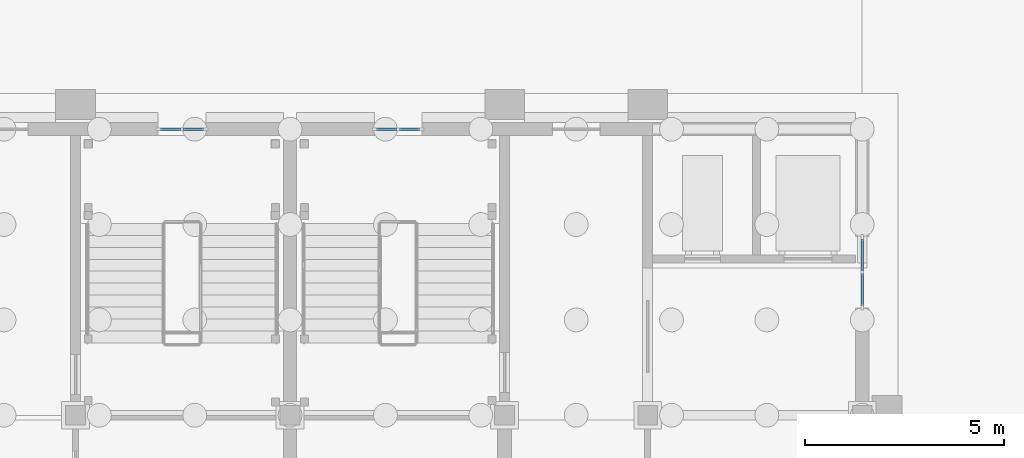
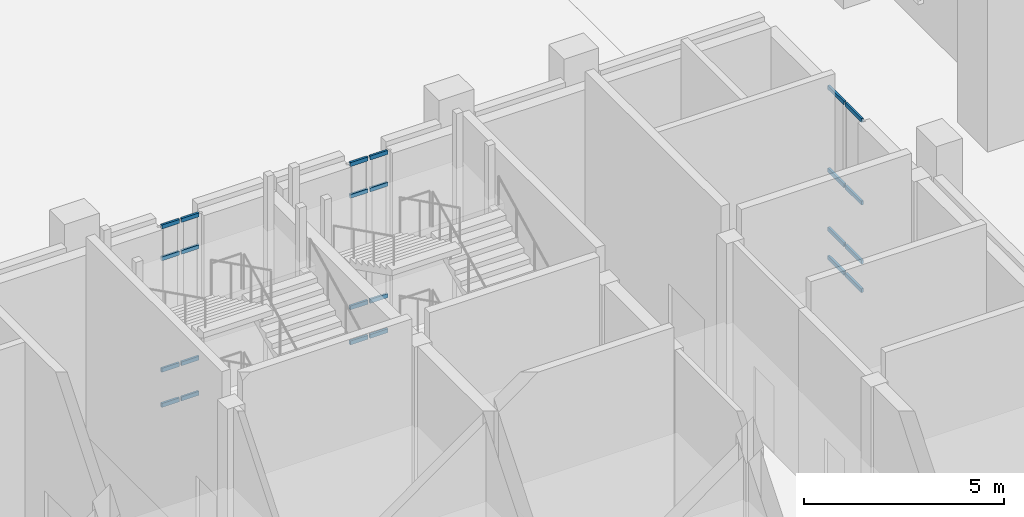
# One storey, part 19 of 84: 24 members, 3 elements without a shape of their own.
"""IFC4 building model written with IfcOpenShell, lengths in metres."""

from ifc_helpers import new_model, si_unit, direction, frame, origin, origin_2d, place, context, subcontext, project, spatial, rectangle, extrude, material, layer, layer_set, material_profile, profile_set, type_object, element, aggregate, save


model = new_model("IFC4")

# Units and contexts
model_context = context("Model", 3, precision=1e-05, world=origin(), true_north=direction((0.0, 1.0)))
body_context = subcontext(model_context, "Body", "Model", "MODEL_VIEW")
ifc_project = project(units=[si_unit("LENGTHUNIT", "METRE"), si_unit("AREAUNIT", "SQUARE_METRE"), si_unit("VOLUMEUNIT", "CUBIC_METRE"), si_unit("PLANEANGLEUNIT", "RADIAN"), si_unit("MASSUNIT", "GRAM", prefix="KILO")], contexts=[model_context])

# Site, building, storey
site_placement = place(None, origin())
site = spatial("IfcSite", under=ifc_project, at=site_placement, CompositionType="ELEMENT")
building_placement = place(site_placement, origin())
building = spatial("IfcBuilding", under=site, at=building_placement, Name="Mazhai Court Health Centre", CompositionType="ELEMENT")
storey_placement = place(building_placement, origin())
storey = spatial("IfcBuildingStorey", under=building, at=storey_placement, Name="L00", CompositionType="ELEMENT", Elevation=0.0)

# Curtain wall, members
ifc_material_1 = material(Name="Teak timber frame, glazed", Category="wood")
ifc_layer_1 = layer(ifc_material_1, 0.10009765625)
ifc_layer_set_1 = layer_set([ifc_layer_1], Name="CURTAIN WALL TIMBER 600")
curtain_wall_type_1 = type_object("IfcCurtainWallType", Name="CURTAIN WALL TIMBER 600", PredefinedType="NOTDEFINED", material=ifc_layer_set_1)
curtain_wall_1_placement = place(storey_placement, origin())
curtain_wall_1 = element("IfcCurtainWall", 1, at=curtain_wall_1_placement, inside=storey, type_object=curtain_wall_type_1, Name="CW-V2-L00-ESTAIR0", PredefinedType="NOTDEFINED")
ifc_material_2 = material(Name="Teak timber", Category="wood")
ifc_material_profile = material_profile(ifc_material_2, rectangle(XDim=0.06005859375, YDim=0.1201171875, at=origin_2d()), Name="CW TRANSOM 60x120")
ifc_profile_set = profile_set([ifc_material_profile], Name="Teak timber")
member_type = type_object("IfcMemberType", Name="CW TRANSOM 60x120", PredefinedType="USERDEFINED", material=ifc_profile_set)
member_1_placement = place(storey_placement, frame((17.340087890625, 42.199951171875, 0.030029296875), z_axis=(1.0, 0.0, 0.0), x_axis=(0.0, 1.0, 0.0)))
member_1 = element("IfcMember", 2, at=member_1_placement, type_object=member_type, Name="CW transom 1.1", ObjectType="TRANSOM", PredefinedType="USERDEFINED", context=body_context, shape_type="SweptSolid", body=[
    extrude(rectangle(XDim=0.06005859375, YDim=0.1201171875, at=origin_2d()), origin(), (0.0, 0.0, 1.0), 0.510009765625),
])
member_2_placement = place(storey_placement, frame((17.340087890625, 42.199951171875, 1.10009765625), z_axis=(1.0, 0.0, 0.0), x_axis=(0.0, 1.0, 0.0)))
member_2 = element("IfcMember", 3, at=member_2_placement, type_object=member_type, Name="CW transom 1.2", ObjectType="TRANSOM", PredefinedType="USERDEFINED", context=body_context, shape_type="SweptSolid", body=[
    extrude(rectangle(XDim=0.06005859375, YDim=0.1201171875, at=origin_2d()), origin(), (0.0, 0.0, 1.0), 0.510009765625),
])
member_3_placement = place(storey_placement, frame((17.340087890625, 42.199951171875, 4.5), z_axis=(1.0, 0.0, 0.0), x_axis=(0.0, 1.0, 0.0)))
member_3 = element("IfcMember", 4, at=member_3_placement, type_object=member_type, Name="CW transom 1.3", ObjectType="TRANSOM", PredefinedType="USERDEFINED", context=body_context, shape_type="SweptSolid", body=[
    extrude(rectangle(XDim=0.06005859375, YDim=0.1201171875, at=origin_2d()), origin(), (0.0, 0.0, 1.0), 0.510009765625),
])
member_4_placement = place(storey_placement, frame((17.340087890625, 42.199951171875, 5.469970703125), z_axis=(1.0, 0.0, 0.0), x_axis=(0.0, 1.0, 0.0)))
member_4 = element("IfcMember", 5, at=member_4_placement, type_object=member_type, Name="CW transom 1.4", ObjectType="TRANSOM", PredefinedType="USERDEFINED", context=body_context, shape_type="SweptSolid", body=[
    extrude(rectangle(XDim=0.06005859375, YDim=0.1201171875, at=origin_2d()), origin(), (0.0, 0.0, 1.0), 0.510009765625),
])
member_5_placement = place(storey_placement, frame((17.909912109375, 42.199951171875, 0.030029296875), z_axis=(1.0, 0.0, 0.0), x_axis=(0.0, 1.0, 0.0)))
member_5 = element("IfcMember", 6, at=member_5_placement, type_object=member_type, Name="CW transom 2.1", ObjectType="TRANSOM", PredefinedType="USERDEFINED", context=body_context, shape_type="SweptSolid", body=[
    extrude(rectangle(XDim=0.06005859375, YDim=0.1201171875, at=origin_2d()), origin(), (0.0, 0.0, 1.0), 0.510009765625),
])
member_6_placement = place(storey_placement, frame((17.909912109375, 42.199951171875, 1.10009765625), z_axis=(1.0, 0.0, 0.0), x_axis=(0.0, 1.0, 0.0)))
member_6 = element("IfcMember", 7, at=member_6_placement, type_object=member_type, Name="CW transom 2.2", ObjectType="TRANSOM", PredefinedType="USERDEFINED", context=body_context, shape_type="SweptSolid", body=[
    extrude(rectangle(XDim=0.06005859375, YDim=0.1201171875, at=origin_2d()), origin(), (0.0, 0.0, 1.0), 0.510009765625),
])
member_7_placement = place(storey_placement, frame((17.909912109375, 42.199951171875, 4.5), z_axis=(1.0, 0.0, 0.0), x_axis=(0.0, 1.0, 0.0)))
member_7 = element("IfcMember", 8, at=member_7_placement, type_object=member_type, Name="CW transom 2.3", ObjectType="TRANSOM", PredefinedType="USERDEFINED", context=body_context, shape_type="SweptSolid", body=[
    extrude(rectangle(XDim=0.06005859375, YDim=0.1201171875, at=origin_2d()), origin(), (0.0, 0.0, 1.0), 0.510009765625),
])
member_8_placement = place(storey_placement, frame((17.909912109375, 42.199951171875, 5.469970703125), z_axis=(1.0, 0.0, 0.0), x_axis=(0.0, 1.0, 0.0)))
member_8 = element("IfcMember", 9, at=member_8_placement, type_object=member_type, Name="CW transom 2.4", ObjectType="TRANSOM", PredefinedType="USERDEFINED", context=body_context, shape_type="SweptSolid", body=[
    extrude(rectangle(XDim=0.06005859375, YDim=0.1201171875, at=origin_2d()), origin(), (0.0, 0.0, 1.0), 0.510009765625),
])
aggregate(curtain_wall_1, [member_1, member_2, member_3, member_4, member_5, member_6, member_7, member_8])

ifc_material_3 = material(Name="Teak timber frame, glazed", Category="wood")
ifc_layer_2 = layer(ifc_material_3, 0.10009765625)
ifc_layer_set_2 = layer_set([ifc_layer_2], Name="CURTAIN WALL TIMBER 900")
curtain_wall_type_2 = type_object("IfcCurtainWallType", Name="CURTAIN WALL TIMBER 900", PredefinedType="NOTDEFINED", material=ifc_layer_set_2)
curtain_wall_2_placement = place(storey_placement, origin())
curtain_wall_2 = element("IfcCurtainWall", 10, at=curtain_wall_2_placement, inside=storey, type_object=curtain_wall_type_2, Name="CW-V5-L00-B4", PredefinedType="NOTDEFINED")
member_9_placement = place(storey_placement, frame((35.0, 39.43994140625, 0.030029296875), z_axis=(0.0, -1.0, 0.0), x_axis=(1.0, 0.0, 0.0)))
member_9 = element("IfcMember", 11, at=member_9_placement, type_object=member_type, Name="CW transom 1.1", ObjectType="TRANSOM", PredefinedType="USERDEFINED", context=body_context, shape_type="SweptSolid", body=[
    extrude(rectangle(XDim=0.06005859375, YDim=0.1201171875, at=origin_2d()), origin(), (0.0, 0.0, 1.0), 0.81005859375),
])
member_10_placement = place(storey_placement, frame((35.0, 39.43994140625, 0.89990234375), z_axis=(0.0, -1.0, 0.0), x_axis=(1.0, 0.0, 0.0)))
member_10 = element("IfcMember", 12, at=member_10_placement, type_object=member_type, Name="CW transom 1.2", ObjectType="TRANSOM", PredefinedType="USERDEFINED", context=body_context, shape_type="SweptSolid", body=[
    extrude(rectangle(XDim=0.06005859375, YDim=0.1201171875, at=origin_2d()), origin(), (0.0, 0.0, 1.0), 0.81005859375),
])
member_11_placement = place(storey_placement, frame((35.0, 39.43994140625, 2.699951171875), z_axis=(0.0, -1.0, 0.0), x_axis=(1.0, 0.0, 0.0)))
member_11 = element("IfcMember", 13, at=member_11_placement, type_object=member_type, Name="CW transom 1.3", ObjectType="TRANSOM", PredefinedType="USERDEFINED", context=body_context, shape_type="SweptSolid", body=[
    extrude(rectangle(XDim=0.06005859375, YDim=0.1201171875, at=origin_2d()), origin(), (0.0, 0.0, 1.0), 0.81005859375),
])
member_12_placement = place(storey_placement, frame((35.0, 39.43994140625, 5.219970703125), z_axis=(0.0, -1.0, 0.0), x_axis=(1.0, 0.0, 0.0)))
member_12 = element("IfcMember", 14, at=member_12_placement, type_object=member_type, Name="CW transom 1.4", ObjectType="TRANSOM", PredefinedType="USERDEFINED", context=body_context, shape_type="SweptSolid", body=[
    extrude(rectangle(XDim=0.06005859375, YDim=0.1201171875, at=origin_2d()), origin(), (0.0, 0.0, 1.0), 0.81005859375),
])
member_13_placement = place(storey_placement, frame((35.0, 38.570068359375, 0.030029296875), z_axis=(0.0, -1.0, 0.0), x_axis=(1.0, 0.0, 0.0)))
member_13 = element("IfcMember", 15, at=member_13_placement, type_object=member_type, Name="CW transom 2.1", ObjectType="TRANSOM", PredefinedType="USERDEFINED", context=body_context, shape_type="SweptSolid", body=[
    extrude(rectangle(XDim=0.06005859375, YDim=0.1201171875, at=origin_2d()), origin(), (0.0, 0.0, 1.0), 0.81005859375),
])
member_14_placement = place(storey_placement, frame((35.0, 38.570068359375, 0.89990234375), z_axis=(0.0, -1.0, 0.0), x_axis=(1.0, 0.0, 0.0)))
member_14 = element("IfcMember", 16, at=member_14_placement, type_object=member_type, Name="CW transom 2.2", ObjectType="TRANSOM", PredefinedType="USERDEFINED", context=body_context, shape_type="SweptSolid", body=[
    extrude(rectangle(XDim=0.06005859375, YDim=0.1201171875, at=origin_2d()), origin(), (0.0, 0.0, 1.0), 0.81005859375),
])
member_15_placement = place(storey_placement, frame((35.0, 38.570068359375, 2.699951171875), z_axis=(0.0, -1.0, 0.0), x_axis=(1.0, 0.0, 0.0)))
member_15 = element("IfcMember", 17, at=member_15_placement, type_object=member_type, Name="CW transom 2.3", ObjectType="TRANSOM", PredefinedType="USERDEFINED", context=body_context, shape_type="SweptSolid", body=[
    extrude(rectangle(XDim=0.06005859375, YDim=0.1201171875, at=origin_2d()), origin(), (0.0, 0.0, 1.0), 0.81005859375),
])
member_16_placement = place(storey_placement, frame((35.0, 38.570068359375, 5.219970703125), z_axis=(0.0, -1.0, 0.0), x_axis=(1.0, 0.0, 0.0)))
member_16 = element("IfcMember", 18, at=member_16_placement, type_object=member_type, Name="CW transom 2.4", ObjectType="TRANSOM", PredefinedType="USERDEFINED", context=body_context, shape_type="SweptSolid", body=[
    extrude(rectangle(XDim=0.06005859375, YDim=0.1201171875, at=origin_2d()), origin(), (0.0, 0.0, 1.0), 0.81005859375),
])
aggregate(curtain_wall_2, [member_9, member_10, member_11, member_12, member_13, member_14, member_15, member_16])

curtain_wall_3_placement = place(storey_placement, origin())
curtain_wall_3 = element("IfcCurtainWall", 19, at=curtain_wall_3_placement, inside=storey, type_object=curtain_wall_type_1, Name="CW-V5-L00-ESTAIR0", PredefinedType="NOTDEFINED")
member_17_placement = place(storey_placement, frame((22.780029296875, 42.199951171875, 0.030029296875), z_axis=(1.0, 0.0, 0.0), x_axis=(0.0, 1.0, 0.0)))
member_17 = element("IfcMember", 20, at=member_17_placement, type_object=member_type, Name="CW transom 1.1", ObjectType="TRANSOM", PredefinedType="USERDEFINED", context=body_context, shape_type="SweptSolid", body=[
    extrude(rectangle(XDim=0.06005859375, YDim=0.1201171875, at=origin_2d()), origin(), (0.0, 0.0, 1.0), 0.510009765625),
])
member_18_placement = place(storey_placement, frame((22.780029296875, 42.199951171875, 1.10009765625), z_axis=(1.0, 0.0, 0.0), x_axis=(0.0, 1.0, 0.0)))
member_18 = element("IfcMember", 21, at=member_18_placement, type_object=member_type, Name="CW transom 1.2", ObjectType="TRANSOM", PredefinedType="USERDEFINED", context=body_context, shape_type="SweptSolid", body=[
    extrude(rectangle(XDim=0.06005859375, YDim=0.1201171875, at=origin_2d()), origin(), (0.0, 0.0, 1.0), 0.510009765625),
])
member_19_placement = place(storey_placement, frame((22.780029296875, 42.199951171875, 4.5), z_axis=(1.0, 0.0, 0.0), x_axis=(0.0, 1.0, 0.0)))
member_19 = element("IfcMember", 22, at=member_19_placement, type_object=member_type, Name="CW transom 1.3", ObjectType="TRANSOM", PredefinedType="USERDEFINED", context=body_context, shape_type="SweptSolid", body=[
    extrude(rectangle(XDim=0.06005859375, YDim=0.1201171875, at=origin_2d()), origin(), (0.0, 0.0, 1.0), 0.510009765625),
])
member_20_placement = place(storey_placement, frame((22.780029296875, 42.199951171875, 5.469970703125), z_axis=(1.0, 0.0, 0.0), x_axis=(0.0, 1.0, 0.0)))
member_20 = element("IfcMember", 23, at=member_20_placement, type_object=member_type, Name="CW transom 1.4", ObjectType="TRANSOM", PredefinedType="USERDEFINED", context=body_context, shape_type="SweptSolid", body=[
    extrude(rectangle(XDim=0.06005859375, YDim=0.1201171875, at=origin_2d()), origin(), (0.0, 0.0, 1.0), 0.510009765625),
])
member_21_placement = place(storey_placement, frame((23.35009765625, 42.199951171875, 0.030029296875), z_axis=(1.0, 0.0, 0.0), x_axis=(0.0, 1.0, 0.0)))
member_21 = element("IfcMember", 24, at=member_21_placement, type_object=member_type, Name="CW transom 2.1", ObjectType="TRANSOM", PredefinedType="USERDEFINED", context=body_context, shape_type="SweptSolid", body=[
    extrude(rectangle(XDim=0.06005859375, YDim=0.1201171875, at=origin_2d()), origin(), (0.0, 0.0, 1.0), 0.510009765625),
])
member_22_placement = place(storey_placement, frame((23.35009765625, 42.199951171875, 1.10009765625), z_axis=(1.0, 0.0, 0.0), x_axis=(0.0, 1.0, 0.0)))
member_22 = element("IfcMember", 25, at=member_22_placement, type_object=member_type, Name="CW transom 2.2", ObjectType="TRANSOM", PredefinedType="USERDEFINED", context=body_context, shape_type="SweptSolid", body=[
    extrude(rectangle(XDim=0.06005859375, YDim=0.1201171875, at=origin_2d()), origin(), (0.0, 0.0, 1.0), 0.510009765625),
])
member_23_placement = place(storey_placement, frame((23.35009765625, 42.199951171875, 4.5), z_axis=(1.0, 0.0, 0.0), x_axis=(0.0, 1.0, 0.0)))
member_23 = element("IfcMember", 26, at=member_23_placement, type_object=member_type, Name="CW transom 2.3", ObjectType="TRANSOM", PredefinedType="USERDEFINED", context=body_context, shape_type="SweptSolid", body=[
    extrude(rectangle(XDim=0.06005859375, YDim=0.1201171875, at=origin_2d()), origin(), (0.0, 0.0, 1.0), 0.510009765625),
])
member_24_placement = place(storey_placement, frame((23.35009765625, 42.199951171875, 5.469970703125), z_axis=(1.0, 0.0, 0.0), x_axis=(0.0, 1.0, 0.0)))
member_24 = element("IfcMember", 27, at=member_24_placement, type_object=member_type, Name="CW transom 2.4", ObjectType="TRANSOM", PredefinedType="USERDEFINED", context=body_context, shape_type="SweptSolid", body=[
    extrude(rectangle(XDim=0.06005859375, YDim=0.1201171875, at=origin_2d()), origin(), (0.0, 0.0, 1.0), 0.510009765625),
])
aggregate(curtain_wall_3, [member_17, member_18, member_19, member_20, member_21, member_22, member_23, member_24])

save(model, "model.ifc")
